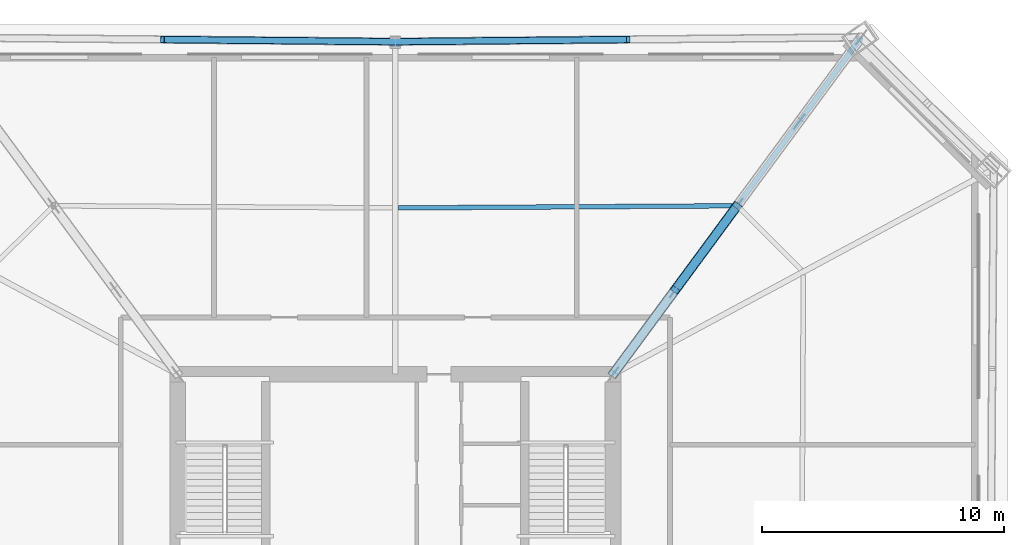
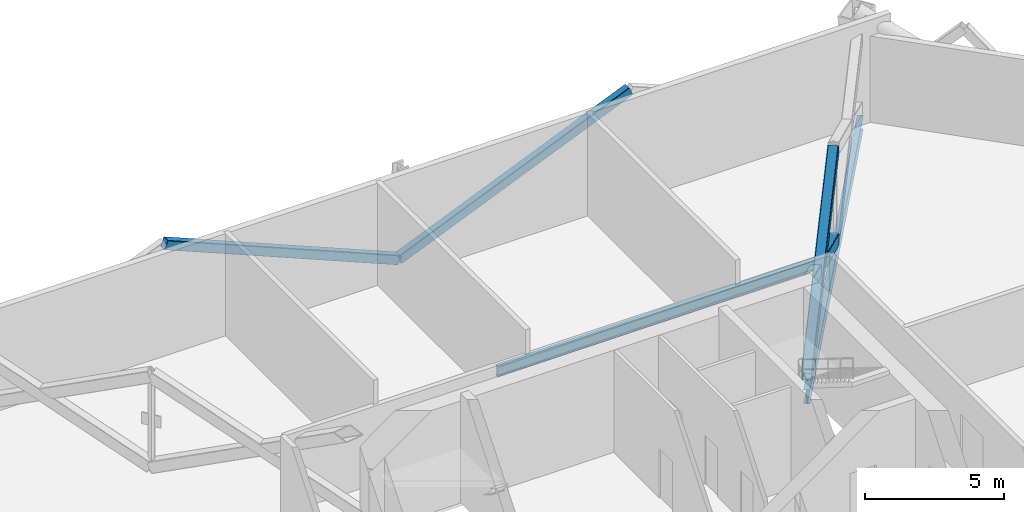
# One storey, part 7 of 14: 4 members, 2 beams.
"""IFC4 building model written with IfcOpenShell, lengths in metres."""

from ifc_helpers import new_model, si_unit, direction, frame, origin, origin_2d, place, context, subcontext, project, spatial, hollow_rectangle, i_section, extrude, material, material_profile, profile_set, type_object, element, save


model = new_model("IFC4")

# Units and contexts
model_context = context("Model", 3, precision=1e-05, world=origin(), true_north=direction((0.0, 1.0)))
body_context = subcontext(model_context, "Body", "Model", "MODEL_VIEW")
ifc_project = project(units=[si_unit("LENGTHUNIT", "METRE"), si_unit("AREAUNIT", "SQUARE_METRE"), si_unit("VOLUMEUNIT", "CUBIC_METRE"), si_unit("PLANEANGLEUNIT", "RADIAN"), si_unit("MASSUNIT", "GRAM", prefix="KILO")], contexts=[model_context])

# Site, building, storey
site_placement = place(None, origin())
site = spatial("IfcSite", under=ifc_project, at=site_placement, CompositionType="ELEMENT")
building_placement = place(site_placement, origin())
building = spatial("IfcBuilding", under=site, at=building_placement, Name="Caelvoria Tower", CompositionType="ELEMENT")
storey_placement = place(building_placement, frame((0.0, 0.0, 85.60009765625)))
storey = spatial("IfcBuildingStorey", under=building, at=storey_placement, Name="L22", CompositionType="ELEMENT", Elevation=85.60009765625)

# Members
ifc_material_1 = material(Name="Structural Steel ASTM A572 Gr.50", Category="steel")
ifc_material_profile_1 = material_profile(ifc_material_1, hollow_rectangle(XDim=0.300048828125, YDim=0.39990234375, WallThickness=0.01611328125, InnerFilletRadius=0.01611328125, OuterFilletRadius=0.031982421875, at=origin_2d()), Name="Structural Steel ASTM A572 Gr.50")
ifc_profile_set_1 = profile_set([ifc_material_profile_1], Name="HSS400X300X16 - Structural Steel ASTM A572 Gr.50")
member_type_1 = type_object("IfcMemberType", Name="Belt Truss Diagonal HSS400X300X16", PredefinedType="BRACE", material=ifc_profile_set_1)
for number, where, z_axis, x_axis, name in (
    (1, (55.629150390625, 53.836181640625, 4.22998046875), (-0.924135026447, -0.00859911145, -0.381969250301), (0.009304635098, -0.999956710946, 0.0), "Belt Truss Diagonal L22-06B"),
    (2, (46.0, 53.74658203125, 0.25), (-0.924135026447, 0.00859911145, 0.381969250301), (-0.009304635098, -0.999956710946, 0.0), "Belt Truss Diagonal L22-07A"),
):
    element("IfcMember", number, at=place(storey_placement, frame(where, z_axis=z_axis, x_axis=x_axis)), inside=storey, type_object=member_type_1, Name=name, PredefinedType="BRACE", context=body_context, shape_type="SweptSolid", body=[
        extrude(hollow_rectangle(XDim=0.300048828125, YDim=0.39990234375, WallThickness=0.01611328125, InnerFilletRadius=0.01611328125, OuterFilletRadius=0.031982421875, at=origin_2d()), origin(), (0.0, 0.0, 1.0), 10.419677734375),
    ])
ifc_material_profile_2 = material_profile(ifc_material_1, hollow_rectangle(XDim=0.39990234375, YDim=0.5, WallThickness=0.02197265625, InnerFilletRadius=0.02197265625, OuterFilletRadius=0.0439453125, at=origin_2d()), Name="Structural Steel ASTM A572 Gr.50")
ifc_profile_set_2 = profile_set([ifc_material_profile_2], Name="HSS500X400X22 - Structural Steel ASTM A572 Gr.50")
member_type_2 = type_object("IfcMemberType", Name="Outrigger Diagonal HSS500X400X22", PredefinedType="BRACE", material=ifc_profile_set_2)
member_1_placement = place(storey_placement, frame((55.0, 40.0, 0.25), z_axis=(0.538776675709, 0.731396581999, 0.418065465629), x_axis=(-0.805133172892, 0.593094068348, 0.0)))
element("IfcMember", 3, at=member_1_placement, inside=storey, type_object=member_type_2, Name="Outrigger Truss Diagonal L22-NE-1A", PredefinedType="BRACE", context=body_context, shape_type="SweptSolid", body=[
    extrude(hollow_rectangle(XDim=0.39990234375, YDim=0.5, WallThickness=0.02197265625, InnerFilletRadius=0.02197265625, OuterFilletRadius=0.0439453125, at=origin_2d()), origin(), (0.0, 0.0, 1.0), 9.52001953125),
])
member_2_placement = place(storey_placement, frame((57.564453125, 43.4814453125, 2.239990234375), z_axis=(0.538794876123, 0.731386476298, -0.418059689222), x_axis=(-0.805119692301, 0.593112367996, 0.0)))
element("IfcMember", 4, at=member_2_placement, inside=storey, type_object=member_type_2, Name="Outrigger Truss Diagonal L22-NE-1B2", PredefinedType="BRACE", context=body_context, shape_type="SweptSolid", body=[
    extrude(hollow_rectangle(XDim=0.39990234375, YDim=0.5, WallThickness=0.02197265625, InnerFilletRadius=0.02197265625, OuterFilletRadius=0.0439453125, at=origin_2d()), origin(), (0.0, 0.0, 1.0), 4.760009765625),
])

# Beams
ifc_material_2 = material(Name="Structural Steel ASTM A992 Gr.50", Category="steel")
ifc_material_profile_3 = material_profile(ifc_material_2, i_section(OverallWidth=0.22900390625, OverallDepth=0.612060546875, WebThickness=0.011962890625, FlangeThickness=0.01953125, FilletRadius=0.01806640625, at=origin_2d()), Name="Structural Steel ASTM A992 Gr.50")
ifc_profile_set_3 = profile_set([ifc_material_profile_3], Name="W610X125 - Structural Steel ASTM A992 Gr.50")
beam_type_1 = type_object("IfcBeamType", Name="Primary Radial Floor Girder W610X125", PredefinedType="BEAM", material=ifc_profile_set_3)
beam_1_placement = place(storey_placement, frame((55.0, 40.0, -0.6259765625), z_axis=(0.593094068348, 0.805133172892, 0.0), x_axis=(-0.805133172892, 0.593094068348, 0.0)))
element("IfcBeam", 5, at=beam_1_placement, inside=storey, type_object=beam_type_1, Name="Primary Floor Girder L22-06", PredefinedType="BEAM", context=body_context, shape_type="SweptSolid", body=[
    extrude(i_section(OverallWidth=0.22900390625, OverallDepth=0.612060546875, WebThickness=0.011962890625, FlangeThickness=0.01953125, FilletRadius=0.01806640625, at=origin_2d()), origin(), (0.0, 0.0, 1.0), 17.296142578125),
])
ifc_material_profile_4 = material_profile(ifc_material_2, i_section(OverallWidth=0.18994140625, OverallDepth=0.45703125, WebThickness=0.009033203125, FlangeThickness=0.014404296875, FilletRadius=0.014892578125, at=origin_2d()), Name="Structural Steel ASTM A992 Gr.50")
ifc_profile_set_4 = profile_set([ifc_material_profile_4], Name="W460X74 - Structural Steel ASTM A992 Gr.50")
beam_type_2 = type_object("IfcBeamType", Name="Secondary Floor Beam W460X74", PredefinedType="BEAM", material=ifc_profile_set_4)
beam_2_placement = place(storey_placement, frame((60.004150390625, 46.962158203125, -0.548583984375), z_axis=(-0.999979949912, -0.006332438248, 0.0), x_axis=(0.006332438248, -0.999979949912, 0.0)))
element("IfcBeam", 6, at=beam_2_placement, inside=storey, type_object=beam_type_2, Name="Secondary Floor Beam L22-06", PredefinedType="BEAM", context=body_context, shape_type="SweptSolid", body=[
    extrude(i_section(OverallWidth=0.18994140625, OverallDepth=0.45703125, WebThickness=0.009033203125, FlangeThickness=0.014404296875, FilletRadius=0.014892578125, at=origin_2d()), origin(), (0.0, 0.0, 1.0), 13.87939453125),
])

save(model, "model.ifc")
